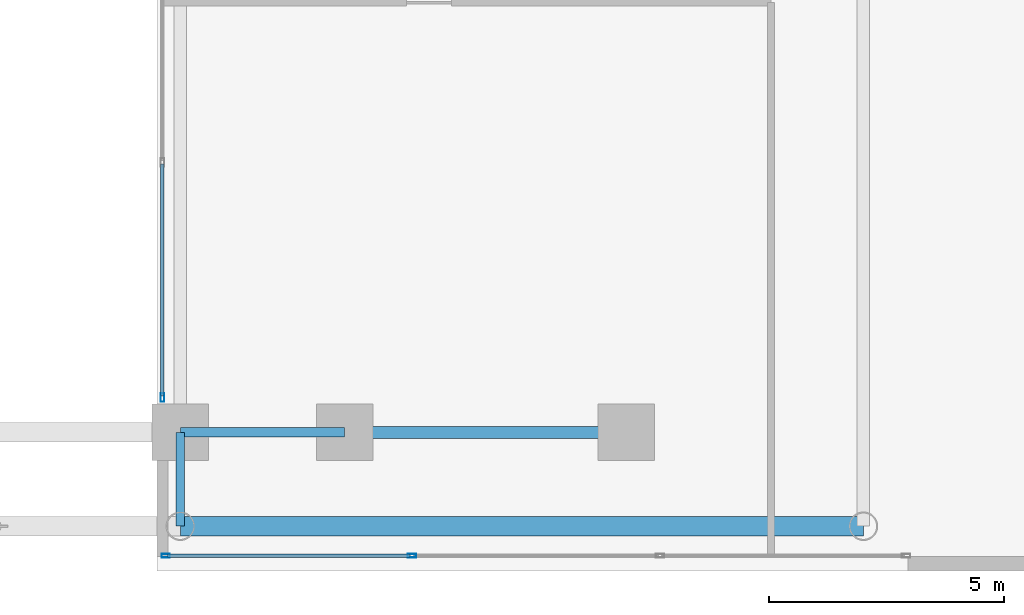
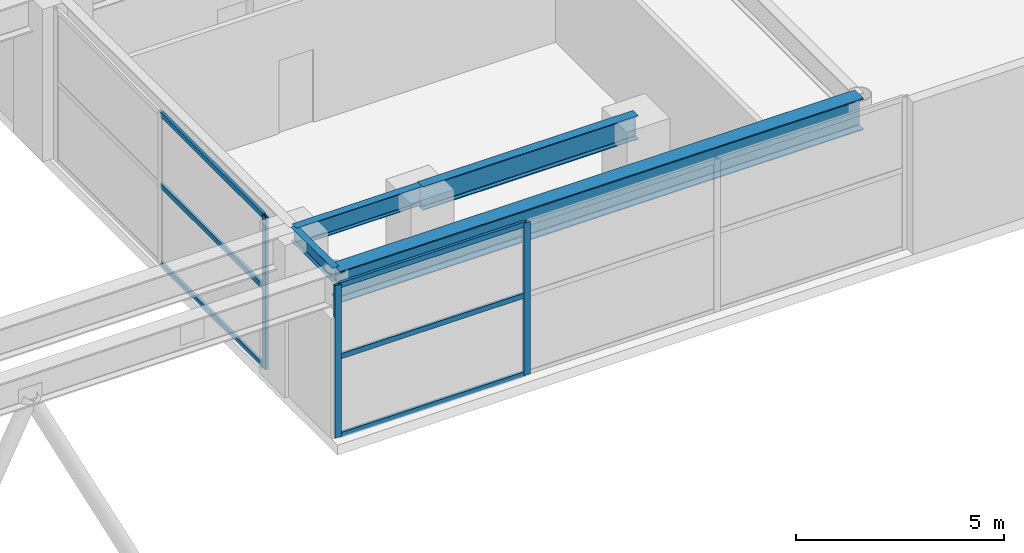
# One storey, part 9 of 30: 9 members, 4 beams, 2 elements without a shape of their own.
"""IFC4 building model written with IfcOpenShell, lengths in metres."""

from ifc_helpers import new_model, si_unit, direction, frame, origin, origin_2d, place, context, subcontext, project, spatial, hollow_rectangle, i_section, extrude, source, transform, mapped, material, layer, layer_set, material_profile, profile_set, type_object, element, aggregate, save


model = new_model("IFC4")

# Units and contexts
model_context = context("Model", 3, precision=1e-05, world=origin(), true_north=direction((0.0, 1.0)))
body_context = subcontext(model_context, "Body", "Model", "MODEL_VIEW")
ifc_project = project(units=[si_unit("LENGTHUNIT", "METRE"), si_unit("AREAUNIT", "SQUARE_METRE"), si_unit("VOLUMEUNIT", "CUBIC_METRE"), si_unit("PLANEANGLEUNIT", "RADIAN"), si_unit("MASSUNIT", "GRAM", prefix="KILO")], contexts=[model_context])

# Site, building, storey
site_placement = place(None, origin())
site = spatial("IfcSite", under=ifc_project, at=site_placement, CompositionType="ELEMENT")
building_placement = place(site_placement, origin())
building = spatial("IfcBuilding", under=site, at=building_placement, Name="Ocotamira Hotel", CompositionType="ELEMENT")
storey_placement = place(building_placement, frame((0.0, 0.0, 19.199951171875)))
storey = spatial("IfcBuildingStorey", under=building, at=storey_placement, Name="L04", CompositionType="ELEMENT", Elevation=19.199951171875)

# Beams
ifc_material_1 = material(Name="Steel ASTM A992 Grade 50", Category="steel")
ifc_material_profile_1 = material_profile(ifc_material_1, i_section(OverallWidth=0.41796875, OverallDepth=0.927001953125, WebThickness=0.019287109375, FlangeThickness=0.031982421875, FilletRadius=0.02392578125, at=origin_2d()), Name="W36X231")
ifc_profile_set_1 = profile_set([ifc_material_profile_1], Name="Steel ASTM A992 Grade 50")
beam_type_1 = type_object("IfcBeamType", Name="BM-GIRD-W36X231", PredefinedType="BEAM", material=ifc_profile_set_1)
shared_shape_1 = source(origin(), body_context, "Body", "SweptSolid", [
    extrude(i_section(OverallWidth=0.41796875, OverallDepth=0.927001953125, WebThickness=0.019287109375, FlangeThickness=0.031982421875, FilletRadius=0.02392578125, at=origin_2d()), origin(), (0.0, 0.0, 1.0), 14.550048828125),
])
beam_1_placement = place(storey_placement, frame((40.5, 0.949951171875, 4.0166015625), z_axis=(1.0, 0.0, 0.0), x_axis=(0.0, 1.0, 0.0)))
element("IfcBeam", 1, at=beam_1_placement, inside=storey, type_object=beam_type_1, Name="L04 Girder Y0.95 X40.5-55.05", PredefinedType="BEAM", context=body_context, shape_type="MappedRepresentation", body=[
    mapped(shared_shape_1, transform((0.0, 0.0, 0.0), scale=1.0)),
])
ifc_material_profile_2 = material_profile(ifc_material_1, i_section(OverallWidth=0.256103515625, OverallDepth=0.693115234375, WebThickness=0.014404296875, FlangeThickness=0.023681640625, FilletRadius=0.01611328125, at=origin_2d()), Name="W27X114")
ifc_profile_set_2 = profile_set([ifc_material_profile_2], Name="Steel ASTM A992 Grade 50")
beam_type_2 = type_object("IfcBeamType", Name="BM-PRIM-W27X114", PredefinedType="BEAM", material=ifc_profile_set_2)
shared_shape_2 = source(origin(), body_context, "Body", "SweptSolid", [
    extrude(i_section(OverallWidth=0.256103515625, OverallDepth=0.693115234375, WebThickness=0.014404296875, FlangeThickness=0.023681640625, FilletRadius=0.01611328125, at=origin_2d()), origin(), (0.0, 0.0, 1.0), 6.0),
])
beam_2_placement = place(storey_placement, frame((44.0, 2.949951171875, 4.133544921875), z_axis=(1.0, 0.0, 0.0), x_axis=(0.0, 1.0, 0.0)))
element("IfcBeam", 2, at=beam_2_placement, inside=storey, type_object=beam_type_2, Name="L04 Girder Y2.95 X44-50", PredefinedType="BEAM", context=body_context, shape_type="MappedRepresentation", body=[
    mapped(shared_shape_2, transform((0.0, 0.0, 0.0), scale=1.0)),
])
ifc_material_profile_3 = material_profile(ifc_material_1, i_section(OverallWidth=0.2099609375, OverallDepth=0.537109375, WebThickness=0.010986328125, FlangeThickness=0.017333984375, FilletRadius=0.012939453125, at=origin_2d()), Name="W21X68")
ifc_profile_set_3 = profile_set([ifc_material_profile_3], Name="Steel ASTM A992 Grade 50")
beam_type_3 = type_object("IfcBeamType", Name="BM-SEC-W21X68", PredefinedType="JOIST", material=ifc_profile_set_3)
shared_shape_3 = source(origin(), body_context, "Body", "SweptSolid", [
    extrude(i_section(OverallWidth=0.2099609375, OverallDepth=0.537109375, WebThickness=0.010986328125, FlangeThickness=0.017333984375, FilletRadius=0.012939453125, at=origin_2d()), origin(), (0.0, 0.0, 1.0), 3.5),
])
beam_3_placement = place(storey_placement, frame((40.5, 2.949951171875, 4.211669921875), z_axis=(1.0, 0.0, 0.0), x_axis=(0.0, 1.0, 0.0)))
element("IfcBeam", 3, at=beam_3_placement, inside=storey, type_object=beam_type_3, Name="L04 Girder Y2.95 X40.5-44", PredefinedType="JOIST", context=body_context, shape_type="MappedRepresentation", body=[
    mapped(shared_shape_3, transform((0.0, 0.0, 0.0), scale=1.0)),
])
ifc_material_profile_4 = material_profile(ifc_material_1, i_section(OverallWidth=0.177978515625, OverallDepth=0.403076171875, WebThickness=0.007568359375, FlangeThickness=0.010986328125, FilletRadius=0.010009765625, at=origin_2d()), Name="W16X36")
ifc_profile_set_4 = profile_set([ifc_material_profile_4], Name="Steel ASTM A992 Grade 50")
beam_type_4 = type_object("IfcBeamType", Name="BM-SEC-W16X36", PredefinedType="JOIST", material=ifc_profile_set_4)
shared_shape_4 = source(origin(), body_context, "Body", "SweptSolid", [
    extrude(i_section(OverallWidth=0.177978515625, OverallDepth=0.403076171875, WebThickness=0.007568359375, FlangeThickness=0.010986328125, FilletRadius=0.010009765625, at=origin_2d()), origin(), (0.0, 0.0, 1.0), 2.0),
])
beam_4_placement = place(storey_placement, frame((40.5, 0.949951171875, 4.278564453125), z_axis=(0.0, 1.0, 0.0), x_axis=(-1.0, 0.0, 0.0)))
element("IfcBeam", 4, at=beam_4_placement, inside=storey, type_object=beam_type_4, Name="L04 Beam X40.5 Y0.95-2.95", PredefinedType="JOIST", context=body_context, shape_type="MappedRepresentation", body=[
    mapped(shared_shape_4, transform((0.0, 0.0, 0.0), scale=1.0)),
])

# Curtain wall, members
ifc_material_2 = material(Name="Anodised pale-metal aluminium and solar glass", Category="aluminium")
ifc_layer = layer(ifc_material_2, 0.219970703125)
ifc_layer_set = layer_set([ifc_layer], Name="Anodised pale-metal aluminium and solar glass")
curtain_wall_type = type_object("IfcCurtainWallType", Name="CW-SYS1-POD", PredefinedType="NOTDEFINED", material=ifc_layer_set)
curtain_wall_1_placement = place(storey_placement, origin())
curtain_wall_1 = element("IfcCurtainWall", 5, at=curtain_wall_1_placement, inside=storey, type_object=curtain_wall_type, Name="L04 Curtain Wall CW-1 CW-L04-SE", PredefinedType="NOTDEFINED")
ifc_material_3 = material(Name="Anodised pale-metal aluminium 6063-T6", Category="aluminium")
ifc_material_profile_5 = material_profile(ifc_material_3, hollow_rectangle(XDim=0.074951171875, YDim=0.14990234375, WallThickness=0.006103515625, at=origin_2d()), Name="HSS150X75X6")
ifc_profile_set_5 = profile_set([ifc_material_profile_5], Name="Anodised pale-metal aluminium 6063-T6")
member_type_1 = type_object("IfcMemberType", Name="CWT-150X75", PredefinedType="USERDEFINED", material=ifc_profile_set_5)
shared_shape_5 = source(origin(), body_context, "Body", "SweptSolid", [
    extrude(hollow_rectangle(XDim=0.074951171875, YDim=0.14990234375, WallThickness=0.006103515625, at=origin_2d()), origin(), (0.0, 0.0, 1.0), 5.163330078125),
])
member_1_placement = place(storey_placement, frame((40.22998046875, 0.320068359375, 0.03759765625), z_axis=(1.0, 0.0, 0.0), x_axis=(0.0, 1.0, 0.0)))
member_1 = element("IfcMember", 6, at=member_1_placement, type_object=member_type_1, Name="CW-1 transom 1.1", ObjectType="TRANSOM", PredefinedType="USERDEFINED", context=body_context, shape_type="MappedRepresentation", body=[
    mapped(shared_shape_5, transform((0.0, 0.0, 0.0), scale=1.0)),
])
member_2_placement = place(storey_placement, frame((40.22998046875, 0.320068359375, 2.35009765625), z_axis=(1.0, 0.0, 0.0), x_axis=(0.0, 1.0, 0.0)))
member_2 = element("IfcMember", 7, at=member_2_placement, type_object=member_type_1, Name="CW-1 transom 1.2", ObjectType="TRANSOM", PredefinedType="USERDEFINED", context=body_context, shape_type="MappedRepresentation", body=[
    mapped(shared_shape_5, transform((0.0, 0.0, 0.0), scale=1.0)),
])
member_3_placement = place(storey_placement, frame((40.22998046875, 0.320068359375, 4.442626953125), z_axis=(1.0, 0.0, 0.0), x_axis=(0.0, 1.0, 0.0)))
member_3 = element("IfcMember", 8, at=member_3_placement, type_object=member_type_1, Name="CW-1 transom 1.3", ObjectType="TRANSOM", PredefinedType="USERDEFINED", context=body_context, shape_type="MappedRepresentation", body=[
    mapped(shared_shape_5, transform((0.0, 0.0, 0.0), scale=1.0)),
])

curtain_wall_2_placement = place(storey_placement, origin())
curtain_wall_2 = element("IfcCurtainWall", 9, at=curtain_wall_2_placement, inside=storey, type_object=curtain_wall_type, Name="L04 Curtain Wall CW-1 CW-L04-AE-S", PredefinedType="NOTDEFINED")
shared_shape_6 = source(origin(), body_context, "Body", "SweptSolid", [
    extrude(hollow_rectangle(XDim=0.074951171875, YDim=0.14990234375, WallThickness=0.006103515625, at=origin_2d()), origin(), (0.0, 0.0, 1.0), 4.929931640625),
])
member_4_placement = place(storey_placement, frame((40.1201171875, 3.72998046875, 0.03759765625), z_axis=(0.0, 1.0, 0.0), x_axis=(-1.0, 0.0, 0.0)))
member_4 = element("IfcMember", 10, at=member_4_placement, type_object=member_type_1, Name="CW-1 transom 1.1", ObjectType="TRANSOM", PredefinedType="USERDEFINED", context=body_context, shape_type="MappedRepresentation", body=[
    mapped(shared_shape_6, transform((0.0, 0.0, 0.0), scale=1.0)),
])
member_5_placement = place(storey_placement, frame((40.1201171875, 3.72998046875, 2.35009765625), z_axis=(0.0, 1.0, 0.0), x_axis=(-1.0, 0.0, 0.0)))
member_5 = element("IfcMember", 11, at=member_5_placement, type_object=member_type_1, Name="CW-1 transom 1.2", ObjectType="TRANSOM", PredefinedType="USERDEFINED", context=body_context, shape_type="MappedRepresentation", body=[
    mapped(shared_shape_6, transform((0.0, 0.0, 0.0), scale=1.0)),
])
member_6_placement = place(storey_placement, frame((40.1201171875, 3.72998046875, 4.442626953125), z_axis=(0.0, 1.0, 0.0), x_axis=(-1.0, 0.0, 0.0)))
member_6 = element("IfcMember", 12, at=member_6_placement, type_object=member_type_1, Name="CW-1 transom 1.3", ObjectType="TRANSOM", PredefinedType="USERDEFINED", context=body_context, shape_type="MappedRepresentation", body=[
    mapped(shared_shape_6, transform((0.0, 0.0, 0.0), scale=1.0)),
])

# Member
ifc_material_profile_6 = material_profile(ifc_material_3, hollow_rectangle(XDim=0.080078125, YDim=0.179931640625, WallThickness=0.006103515625, at=origin_2d()), Name="HSS180X80X6")
ifc_profile_set_6 = profile_set([ifc_material_profile_6], Name="Anodised pale-metal aluminium 6063-T6")
member_type_2 = type_object("IfcMemberType", Name="CWM-180X75", PredefinedType="MULLION", material=ifc_profile_set_6)
shared_shape_7 = source(origin(), body_context, "Body", "SweptSolid", [
    extrude(hollow_rectangle(XDim=0.080078125, YDim=0.179931640625, WallThickness=0.006103515625, at=origin_2d()), origin(), (0.0, 0.0, 1.0), 4.47998046875),
])
member_7_placement = place(storey_placement, frame((40.18994140625, 0.320068359375, 0.0), z_axis=(0.0, 0.0, 1.0), x_axis=(0.0, 1.0, 0.0)))
member_7 = element("IfcMember", 13, at=member_7_placement, type_object=member_type_2, Name="CW-1 mullion 1", PredefinedType="MULLION", context=body_context, shape_type="MappedRepresentation", body=[
    mapped(shared_shape_7, transform((0.0, 0.0, 0.0), scale=1.0)),
])

member_8_placement = place(storey_placement, frame((45.433349609375, 0.320068359375, 0.0), z_axis=(0.0, 0.0, 1.0), x_axis=(0.0, 1.0, 0.0)))
member_8 = element("IfcMember", 14, at=member_8_placement, type_object=member_type_2, Name="CW-1 mullion 2", PredefinedType="MULLION", context=body_context, shape_type="MappedRepresentation", body=[
    mapped(shared_shape_7, transform((0.0, 0.0, 0.0), scale=1.0)),
])

aggregate(curtain_wall_1, [member_7, member_8, member_1, member_2, member_3])

member_9_placement = place(storey_placement, frame((40.1201171875, 3.68994140625, 0.0), z_axis=(0.0, 0.0, 1.0), x_axis=(-1.0, 0.0, 0.0)))
member_9 = element("IfcMember", 15, at=member_9_placement, type_object=member_type_2, Name="CW-1 mullion 1", PredefinedType="MULLION", context=body_context, shape_type="MappedRepresentation", body=[
    mapped(shared_shape_7, transform((0.0, 0.0, 0.0), scale=1.0)),
])

aggregate(curtain_wall_2, [member_9, member_4, member_5, member_6])

save(model, "model.ifc")
